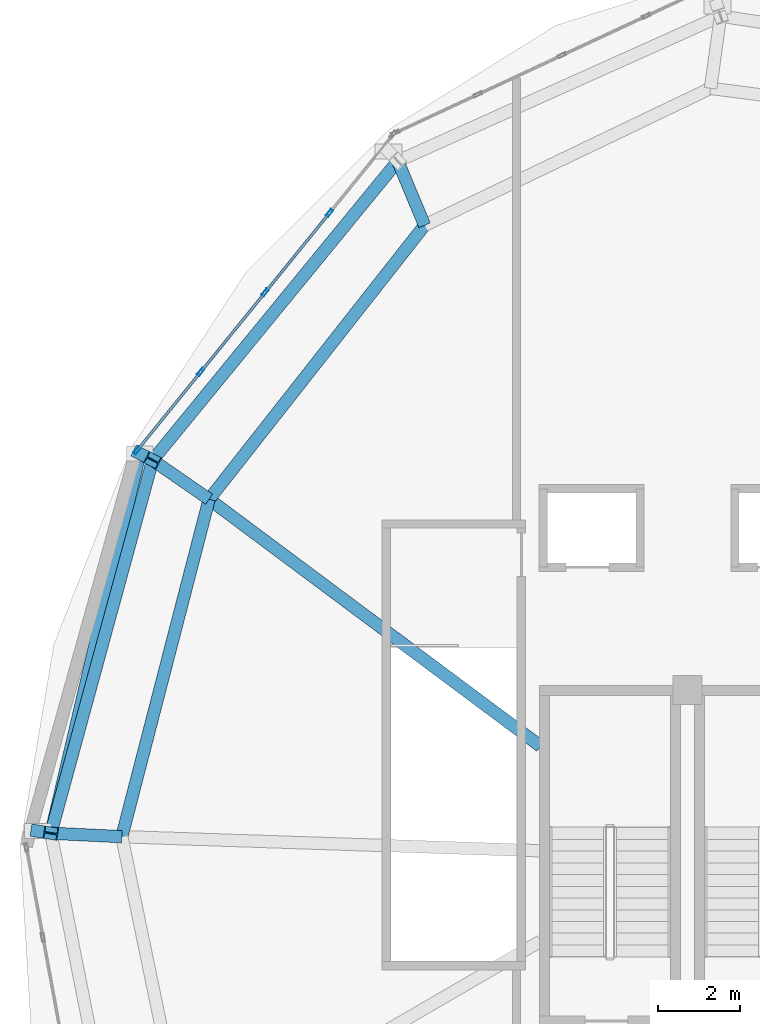
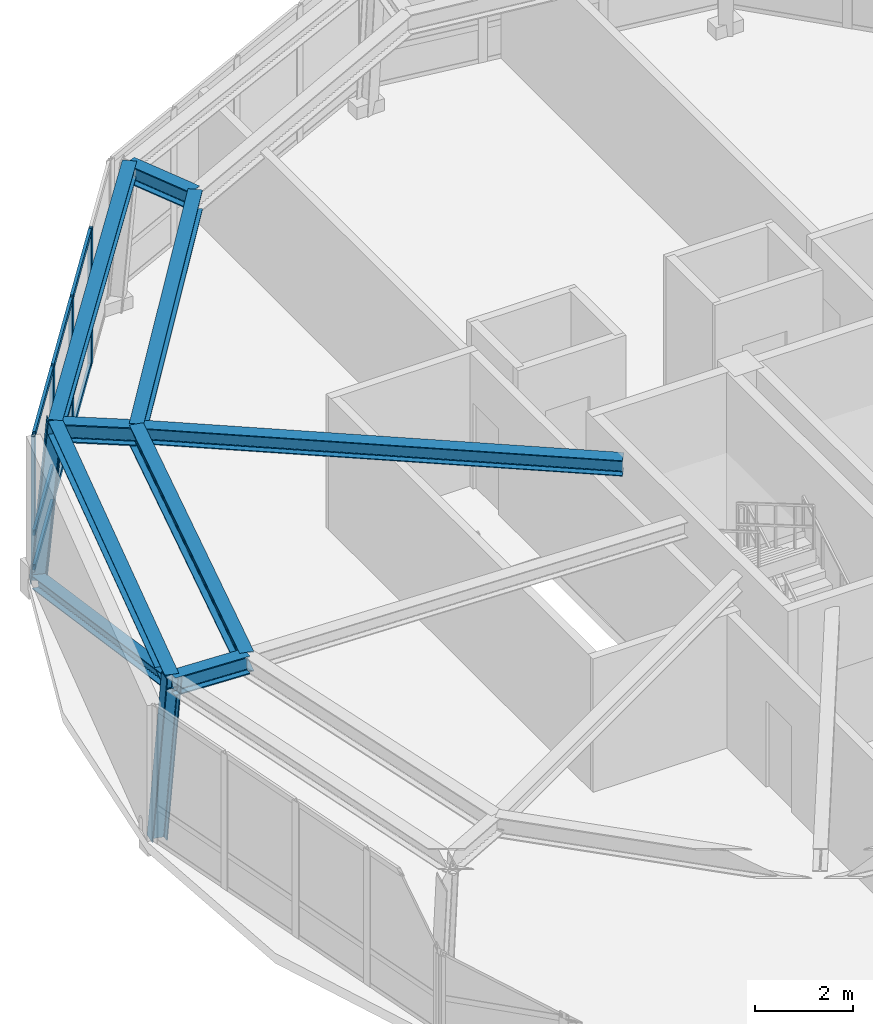
# One storey, part 6 of 14: 16 members, 8 beams, 1 element without a shape of its own.
"""IFC4 building model written with IfcOpenShell, lengths in metres."""

from ifc_helpers import new_model, si_unit, direction, frame, origin, origin_2d, place, context, subcontext, project, spatial, hollow_rectangle, i_section, extrude, material, layer, layer_set, material_profile, profile_set, type_object, element, aggregate, save


model = new_model("IFC4")

# Units and contexts
model_context = context("Model", 3, precision=1e-05, world=origin(), true_north=direction((0.0, 1.0)))
body_context = subcontext(model_context, "Body", "Model", "MODEL_VIEW")
ifc_project = project(units=[si_unit("LENGTHUNIT", "METRE"), si_unit("AREAUNIT", "SQUARE_METRE"), si_unit("VOLUMEUNIT", "CUBIC_METRE"), si_unit("PLANEANGLEUNIT", "RADIAN"), si_unit("MASSUNIT", "GRAM", prefix="KILO"), si_unit("THERMODYNAMICTEMPERATUREUNIT", "KELVIN"), si_unit("POWERUNIT", "WATT")], contexts=[model_context])

# Site, building, storey
site_placement = place(None, origin())
site = spatial("IfcSite", under=ifc_project, at=site_placement, CompositionType="ELEMENT")
building_placement = place(site_placement, origin())
building = spatial("IfcBuilding", under=site, at=building_placement, Name="Ocrelia Relay Tower", CompositionType="ELEMENT")
storey_placement = place(building_placement, frame((0.0, 0.0, 288.0)))
storey = spatial("IfcBuildingStorey", under=building, at=storey_placement, Name="L72", CompositionType="ELEMENT", Elevation=288.0)

# Beams
ifc_material_1 = material(Name="Steel S355", Category="steel")
ifc_material_profile_1 = material_profile(ifc_material_1, i_section(OverallWidth=0.300048828125, OverallDepth=0.35009765625, WebThickness=0.010009765625, FlangeThickness=0.017578125, FilletRadius=0.027099609375, at=origin_2d()), Name="HEA 360")
ifc_profile_set_1 = profile_set([ifc_material_profile_1], Name="Steel S355")
beam_type_1 = type_object("IfcBeamType", Name="BM-HEA360", PredefinedType="SPANDREL", material=ifc_profile_set_1)
beam_1_placement = place(storey_placement, frame((26.972412109375, 39.9521484375, 3.574951171875), z_axis=(-0.633855479767, -0.773451505118, 0.0), x_axis=(0.773451505118, -0.633855479767, 0.0)))
element("IfcBeam", 1, at=beam_1_placement, inside=storey, type_object=beam_type_1, Name="L72 Crown Faceted Ring Beam R03", PredefinedType="SPANDREL", context=body_context, shape_type="SweptSolid", body=[
    extrude(i_section(OverallWidth=0.300048828125, OverallDepth=0.35009765625, WebThickness=0.010009765625, FlangeThickness=0.017578125, FilletRadius=0.027099609375, at=origin_2d()), origin(), (0.0, 0.0, 1.0), 9.381103515625),
])
beam_2_placement = place(storey_placement, frame((21.026123046875, 32.6962890625, 3.574951171875), z_axis=(-0.263286959483, -0.964717563314, 0.0), x_axis=(0.964717563314, -0.263286959483, 0.0)))
element("IfcBeam", 2, at=beam_2_placement, inside=storey, type_object=beam_type_1, Name="L72 Crown Faceted Ring Beam R04", PredefinedType="SPANDREL", context=body_context, shape_type="SweptSolid", body=[
    extrude(i_section(OverallWidth=0.300048828125, OverallDepth=0.35009765625, WebThickness=0.010009765625, FlangeThickness=0.017578125, FilletRadius=0.027099609375, at=origin_2d()), origin(), (0.0, 0.0, 1.0), 9.38134765625),
])
ifc_material_profile_2 = material_profile(ifc_material_1, i_section(OverallWidth=0.300048828125, OverallDepth=0.389892578125, WebThickness=0.010986328125, FlangeThickness=0.01904296875, FilletRadius=0.027099609375, at=origin_2d()), Name="HEA 400")
ifc_profile_set_2 = profile_set([ifc_material_profile_2], Name="Steel S355")
beam_type_2 = type_object("IfcBeamType", Name="BM-HEA400", PredefinedType="SPANDREL", material=ifc_profile_set_2)
beam_3_placement = place(storey_placement, frame((22.3955078125, 31.747802734375, 3.554931640625), z_axis=(0.801837075434, -0.597542721869, 0.0), x_axis=(0.597542721869, 0.801837075434, 0.0)))
element("IfcBeam", 3, at=beam_3_placement, inside=storey, type_object=beam_type_2, Name="L72 Crown Radial Floor Beam 04", PredefinedType="SPANDREL", context=body_context, shape_type="SweptSolid", body=[
    extrude(i_section(OverallWidth=0.300048828125, OverallDepth=0.389892578125, WebThickness=0.010986328125, FlangeThickness=0.01904296875, FilletRadius=0.027099609375, at=origin_2d()), origin(), (0.0, 0.0, 1.0), 10.0263671875),
])
ifc_material_profile_3 = material_profile(ifc_material_1, i_section(OverallWidth=0.300048828125, OverallDepth=0.449951171875, WebThickness=0.013916015625, FlangeThickness=0.02587890625, FilletRadius=0.027099609375, at=origin_2d()), Name="HEB 450")
ifc_profile_set_3 = profile_set([ifc_material_profile_3], Name="Steel S355")
beam_type_3 = type_object("IfcBeamType", Name="BM-HEB450", PredefinedType="BEAM", material=ifc_profile_set_3)
beam_4_placement = place(storey_placement, frame((26.972412109375, 39.9521484375, 3.52490234375), z_axis=(0.385128390769, -0.922863003172, 0.0), x_axis=(0.922863003172, 0.385128390769, 0.0)))
element("IfcBeam", 4, at=beam_4_placement, inside=storey, type_object=beam_type_3, Name="L72 Crown Step Radial Beam ST03", PredefinedType="BEAM", context=body_context, shape_type="SweptSolid", body=[
    extrude(i_section(OverallWidth=0.300048828125, OverallDepth=0.449951171875, WebThickness=0.013916015625, FlangeThickness=0.02587890625, FilletRadius=0.027099609375, at=origin_2d()), origin(), (0.0, 0.0, 1.0), 1.689453125),
])
beam_5_placement = place(storey_placement, frame((21.026123046875, 32.6962890625, 3.52490234375), z_axis=(0.822065541841, -0.569392873962, 0.0), x_axis=(0.569392873962, 0.822065541841, 0.0)))
element("IfcBeam", 5, at=beam_5_placement, inside=storey, type_object=beam_type_3, Name="L72 Crown Step Radial Beam ST04", PredefinedType="BEAM", context=body_context, shape_type="SweptSolid", body=[
    extrude(i_section(OverallWidth=0.300048828125, OverallDepth=0.449951171875, WebThickness=0.013916015625, FlangeThickness=0.02587890625, FilletRadius=0.027099609375, at=origin_2d()), origin(), (0.0, 0.0, 1.0), 1.665771484375),
])
beam_6_placement = place(storey_placement, frame((18.55615234375, 23.64599609375, 3.52490234375), z_axis=(0.998825431648, -0.048453659237, 0.0), x_axis=(0.048453659237, 0.998825431648, 0.0)))
element("IfcBeam", 6, at=beam_6_placement, inside=storey, type_object=beam_type_3, Name="L72 Crown Step Radial Beam ST05", PredefinedType="BEAM", context=body_context, shape_type="SweptSolid", body=[
    extrude(i_section(OverallWidth=0.300048828125, OverallDepth=0.449951171875, WebThickness=0.013916015625, FlangeThickness=0.02587890625, FilletRadius=0.027099609375, at=origin_2d()), origin(), (0.0, 0.0, 1.0), 1.72314453125),
])
ifc_material_profile_4 = material_profile(ifc_material_1, i_section(OverallWidth=0.300048828125, OverallDepth=0.5, WebThickness=0.014404296875, FlangeThickness=0.028076171875, FilletRadius=0.027099609375, at=origin_2d()), Name="HEB 500")
ifc_profile_set_4 = profile_set([ifc_material_profile_4], Name="Steel S355")
beam_type_4 = type_object("IfcBeamType", Name="BM-HEB500", PredefinedType="BEAM", material=ifc_profile_set_4)
beam_7_placement = place(storey_placement, frame((27.623046875, 38.39306640625, 3.5), z_axis=(-0.6182792629, -0.785958493222, 0.0), x_axis=(0.785958493222, -0.6182792629, 0.0)))
element("IfcBeam", 7, at=beam_7_placement, inside=storey, type_object=beam_type_4, Name="L72 Crown Step Perimeter Ring Beam SR03", PredefinedType="BEAM", context=body_context, shape_type="SweptSolid", body=[
    extrude(i_section(OverallWidth=0.300048828125, OverallDepth=0.5, WebThickness=0.014404296875, FlangeThickness=0.028076171875, FilletRadius=0.027099609375, at=origin_2d()), origin(), (0.0, 0.0, 1.0), 8.455078125),
])
beam_8_placement = place(storey_placement, frame((22.3955078125, 31.747802734375, 3.5), z_axis=(-0.250524212108, -0.968110334181, 0.0), x_axis=(0.968110334181, -0.250524212108, 0.0)))
element("IfcBeam", 8, at=beam_8_placement, inside=storey, type_object=beam_type_4, Name="L72 Crown Step Perimeter Ring Beam SR04", PredefinedType="BEAM", context=body_context, shape_type="SweptSolid", body=[
    extrude(i_section(OverallWidth=0.300048828125, OverallDepth=0.5, WebThickness=0.014404296875, FlangeThickness=0.028076171875, FilletRadius=0.027099609375, at=origin_2d()), origin(), (0.0, 0.0, 1.0), 8.454833984375),
])

# Curtain wall, members
ifc_material_2 = material(Name="Aluminium and solar-control low-E glass", Category="aluminium")
ifc_layer = layer(ifc_material_2, 0.179931640625, Name="Aluminium and solar-control low-E glass")
ifc_layer_set = layer_set([ifc_layer], Name="Aluminium and solar-control low-E glass")
curtain_wall_type = type_object("IfcCurtainWallType", Name="CW-SYS-CROWN-PT", PredefinedType="NOTDEFINED", material=ifc_layer_set)
curtain_wall_placement = place(storey_placement, origin())
curtain_wall = element("IfcCurtainWall", 9, at=curtain_wall_placement, inside=storey, type_object=curtain_wall_type, Name="L72 Faceted Glass-Point Crown Curtain Wall 03", PredefinedType="NOTDEFINED")
ifc_material_3 = material(Name="Anodised bronze aluminium", Category="aluminium")
ifc_material_profile_5 = material_profile(ifc_material_3, hollow_rectangle(XDim=0.074951171875, YDim=0.199951171875, WallThickness=0.006103515625, at=origin_2d()), Name="CW-MUL-200x75")
ifc_profile_set_5 = profile_set([ifc_material_profile_5], Name="Anodised bronze aluminium")
member_type_1 = type_object("IfcMemberType", Name="CW-SYS-CROWN-PT-MUL", PredefinedType="MULLION", material=ifc_profile_set_5)
member_1_placement = place(storey_placement, frame((25.3154296875, 38.6904296875, 0.0), z_axis=(0.0, 0.0, 1.0), x_axis=(0.776998377229, -0.629502598711, 0.0)))
member_1 = element("IfcMember", 10, at=member_1_placement, type_object=member_type_1, Name="CW-CR mullion 2", PredefinedType="MULLION", context=body_context, shape_type="SweptSolid", body=[
    extrude(hollow_rectangle(XDim=0.074951171875, YDim=0.199951171875, WallThickness=0.006103515625, at=origin_2d()), origin(), (0.0, 0.0, 1.0), 3.389892578125),
])
member_2_placement = place(storey_placement, frame((23.75244140625, 36.76123046875, 0.0), z_axis=(0.0, 0.0, 1.0), x_axis=(0.776998377229, -0.629502598711, 0.0)))
member_2 = element("IfcMember", 11, at=member_2_placement, type_object=member_type_1, Name="CW-CR mullion 3", PredefinedType="MULLION", context=body_context, shape_type="SweptSolid", body=[
    extrude(hollow_rectangle(XDim=0.074951171875, YDim=0.199951171875, WallThickness=0.006103515625, at=origin_2d()), origin(), (0.0, 0.0, 1.0), 3.389892578125),
])
member_3_placement = place(storey_placement, frame((22.189208984375, 34.83203125, 0.0), z_axis=(0.0, 0.0, 1.0), x_axis=(0.776998377229, -0.629502598711, 0.0)))
member_3 = element("IfcMember", 12, at=member_3_placement, type_object=member_type_1, Name="CW-CR mullion 4", PredefinedType="MULLION", context=body_context, shape_type="SweptSolid", body=[
    extrude(hollow_rectangle(XDim=0.074951171875, YDim=0.199951171875, WallThickness=0.006103515625, at=origin_2d()), origin(), (0.0, 0.0, 1.0), 3.389892578125),
])
member_4_placement = place(storey_placement, frame((20.64990234375, 32.931884765625, 0.0), z_axis=(0.0, 0.0, 1.0), x_axis=(0.776998377229, -0.629502598711, 0.0)))
member_4 = element("IfcMember", 13, at=member_4_placement, type_object=member_type_1, Name="CW-CR mullion 5", PredefinedType="MULLION", context=body_context, shape_type="SweptSolid", body=[
    extrude(hollow_rectangle(XDim=0.074951171875, YDim=0.199951171875, WallThickness=0.006103515625, at=origin_2d()), origin(), (0.0, 0.0, 1.0), 3.389892578125),
])
ifc_material_profile_6 = material_profile(ifc_material_3, hollow_rectangle(XDim=0.06494140625, YDim=0.139892578125, WallThickness=0.0048828125, at=origin_2d()), Name="CW-TRN-140x65")
ifc_profile_set_6 = profile_set([ifc_material_profile_6], Name="Anodised bronze aluminium")
member_type_2 = type_object("IfcMemberType", Name="CW-SYS-CROWN-PT-TRN", PredefinedType="USERDEFINED", material=ifc_profile_set_6)
member_5_placement = place(storey_placement, frame((25.291748046875, 38.661376953125, 0.032470703125), z_axis=(-0.629492752374, -0.777006354355, 0.0), x_axis=(0.777006354355, -0.629492752374, 0.0)))
member_5 = element("IfcMember", 14, at=member_5_placement, type_object=member_type_2, Name="CW-CR transom 2.1", ObjectType="TRANSOM", PredefinedType="USERDEFINED", context=body_context, shape_type="SweptSolid", body=[
    extrude(hollow_rectangle(XDim=0.06494140625, YDim=0.139892578125, WallThickness=0.0048828125, at=origin_2d()), origin(), (0.0, 0.0, 1.0), 2.407958984375),
])
member_6_placement = place(storey_placement, frame((25.291748046875, 38.661376953125, 0.89990234375), z_axis=(-0.629492752374, -0.777006354355, 0.0), x_axis=(0.777006354355, -0.629492752374, 0.0)))
member_6 = element("IfcMember", 15, at=member_6_placement, type_object=member_type_2, Name="CW-CR transom 2.2", ObjectType="TRANSOM", PredefinedType="USERDEFINED", context=body_context, shape_type="SweptSolid", body=[
    extrude(hollow_rectangle(XDim=0.06494140625, YDim=0.139892578125, WallThickness=0.0048828125, at=origin_2d()), origin(), (0.0, 0.0, 1.0), 2.407958984375),
])
member_7_placement = place(storey_placement, frame((25.291748046875, 38.661376953125, 3.357421875), z_axis=(-0.629492752374, -0.777006354355, 0.0), x_axis=(0.777006354355, -0.629492752374, 0.0)))
member_7 = element("IfcMember", 16, at=member_7_placement, type_object=member_type_2, Name="CW-CR transom 2.3", ObjectType="TRANSOM", PredefinedType="USERDEFINED", context=body_context, shape_type="SweptSolid", body=[
    extrude(hollow_rectangle(XDim=0.06494140625, YDim=0.139892578125, WallThickness=0.0048828125, at=origin_2d()), origin(), (0.0, 0.0, 1.0), 2.407958984375),
])
member_8_placement = place(storey_placement, frame((23.728759765625, 36.732177734375, 0.032470703125), z_axis=(-0.629492752374, -0.777006354355, 0.0), x_axis=(0.777006354355, -0.629492752374, 0.0)))
member_8 = element("IfcMember", 17, at=member_8_placement, type_object=member_type_2, Name="CW-CR transom 3.1", ObjectType="TRANSOM", PredefinedType="USERDEFINED", context=body_context, shape_type="SweptSolid", body=[
    extrude(hollow_rectangle(XDim=0.06494140625, YDim=0.139892578125, WallThickness=0.0048828125, at=origin_2d()), origin(), (0.0, 0.0, 1.0), 2.407958984375),
])
member_9_placement = place(storey_placement, frame((23.728759765625, 36.732177734375, 0.89990234375), z_axis=(-0.629492752374, -0.777006354355, 0.0), x_axis=(0.777006354355, -0.629492752374, 0.0)))
member_9 = element("IfcMember", 18, at=member_9_placement, type_object=member_type_2, Name="CW-CR transom 3.2", ObjectType="TRANSOM", PredefinedType="USERDEFINED", context=body_context, shape_type="SweptSolid", body=[
    extrude(hollow_rectangle(XDim=0.06494140625, YDim=0.139892578125, WallThickness=0.0048828125, at=origin_2d()), origin(), (0.0, 0.0, 1.0), 2.407958984375),
])
member_10_placement = place(storey_placement, frame((23.728759765625, 36.732177734375, 3.357421875), z_axis=(-0.629492752374, -0.777006354355, 0.0), x_axis=(0.777006354355, -0.629492752374, 0.0)))
member_10 = element("IfcMember", 19, at=member_10_placement, type_object=member_type_2, Name="CW-CR transom 3.3", ObjectType="TRANSOM", PredefinedType="USERDEFINED", context=body_context, shape_type="SweptSolid", body=[
    extrude(hollow_rectangle(XDim=0.06494140625, YDim=0.139892578125, WallThickness=0.0048828125, at=origin_2d()), origin(), (0.0, 0.0, 1.0), 2.407958984375),
])
member_11_placement = place(storey_placement, frame((22.165771484375, 34.802734375, 0.032470703125), z_axis=(-0.629506318117, -0.776995363854, 0.0), x_axis=(0.776995363854, -0.629506318117, 0.0)))
member_11 = element("IfcMember", 20, at=member_11_placement, type_object=member_type_2, Name="CW-CR transom 4.1", ObjectType="TRANSOM", PredefinedType="USERDEFINED", context=body_context, shape_type="SweptSolid", body=[
    extrude(hollow_rectangle(XDim=0.06494140625, YDim=0.139892578125, WallThickness=0.0048828125, at=origin_2d()), origin(), (0.0, 0.0, 1.0), 2.370361328125),
])
member_12_placement = place(storey_placement, frame((22.165771484375, 34.802734375, 0.89990234375), z_axis=(-0.629506318117, -0.776995363854, 0.0), x_axis=(0.776995363854, -0.629506318117, 0.0)))
member_12 = element("IfcMember", 21, at=member_12_placement, type_object=member_type_2, Name="CW-CR transom 4.2", ObjectType="TRANSOM", PredefinedType="USERDEFINED", context=body_context, shape_type="SweptSolid", body=[
    extrude(hollow_rectangle(XDim=0.06494140625, YDim=0.139892578125, WallThickness=0.0048828125, at=origin_2d()), origin(), (0.0, 0.0, 1.0), 2.370361328125),
])
member_13_placement = place(storey_placement, frame((22.165771484375, 34.802734375, 3.357421875), z_axis=(-0.629506318117, -0.776995363854, 0.0), x_axis=(0.776995363854, -0.629506318117, 0.0)))
member_13 = element("IfcMember", 22, at=member_13_placement, type_object=member_type_2, Name="CW-CR transom 4.3", ObjectType="TRANSOM", PredefinedType="USERDEFINED", context=body_context, shape_type="SweptSolid", body=[
    extrude(hollow_rectangle(XDim=0.06494140625, YDim=0.139892578125, WallThickness=0.0048828125, at=origin_2d()), origin(), (0.0, 0.0, 1.0), 2.370361328125),
])
aggregate(curtain_wall, [member_1, member_2, member_3, member_4, member_5, member_6, member_7, member_8, member_9, member_10, member_11, member_12, member_13])

# Members
ifc_material_profile_7 = material_profile(ifc_material_1, i_section(OverallWidth=0.300048828125, OverallDepth=0.300048828125, WebThickness=0.010986328125, FlangeThickness=0.01904296875, FilletRadius=0.027099609375, at=origin_2d()), Name="HEB 300")
ifc_profile_set_7 = profile_set([ifc_material_profile_7], Name="Steel S355")
member_type_3 = type_object("IfcMemberType", Name="MB-CROWN-DIAG", PredefinedType="BRACE", material=ifc_profile_set_7)
member_14_placement = place(storey_placement, frame((20.715087890625, 32.856689453125, -0.25), z_axis=(-0.211570761964, -0.90262695201, 0.374836495272), x_axis=(0.973612099855, -0.228209287752, 0.0)))
element("IfcMember", 23, at=member_14_placement, inside=storey, type_object=member_type_3, Name="L72 Crown Bracing Diagonal CD04", PredefinedType="BRACE", context=body_context, shape_type="SweptSolid", body=[
    extrude(i_section(OverallWidth=0.300048828125, OverallDepth=0.300048828125, WebThickness=0.010986328125, FlangeThickness=0.01904296875, FilletRadius=0.027099609375, at=origin_2d()), origin(), (0.0, 0.0, 1.0), 10.204345703125),
])
ifc_material_profile_8 = material_profile(ifc_material_1, i_section(OverallWidth=0.300048828125, OverallDepth=0.340087890625, WebThickness=0.011962890625, FlangeThickness=0.021484375, FilletRadius=0.027099609375, at=origin_2d()), Name="HEB 340")
ifc_profile_set_8 = profile_set([ifc_material_profile_8], Name="Steel S355")
member_type_4 = type_object("IfcMemberType", Name="MB-CROWN-RIB", PredefinedType="STRUT", material=ifc_profile_set_8)
member_15_placement = place(storey_placement, frame((20.715087890625, 32.856689453125, -0.25), z_axis=(0.077462886442, -0.039947501093, 0.996194608689), x_axis=(0.458340798512, 0.888776525578, 0.0)))
element("IfcMember", 24, at=member_15_placement, inside=storey, type_object=member_type_4, Name="L72 Crown Faceted Structural Strut Rib CR04", PredefinedType="STRUT", context=body_context, shape_type="SweptSolid", body=[
    extrude(i_section(OverallWidth=0.300048828125, OverallDepth=0.340087890625, WebThickness=0.011962890625, FlangeThickness=0.021484375, FilletRadius=0.027099609375, at=origin_2d()), origin(), (0.0, 0.0, 1.0), 4.015380859375),
])
member_16_placement = place(storey_placement, frame((18.240966796875, 23.6962890625, -0.25), z_axis=(0.078546731643, -0.012533405669, 0.996831643103), x_axis=(0.157572825787, 0.987507369377, 0.0)))
element("IfcMember", 25, at=member_16_placement, inside=storey, type_object=member_type_4, Name="L72 Crown Faceted Structural Strut Rib CR05", PredefinedType="STRUT", context=body_context, shape_type="SweptSolid", body=[
    extrude(i_section(OverallWidth=0.300048828125, OverallDepth=0.340087890625, WebThickness=0.011962890625, FlangeThickness=0.021484375, FilletRadius=0.027099609375, at=origin_2d()), origin(), (0.0, 0.0, 1.0), 4.0126953125),
])

save(model, "model.ifc")
